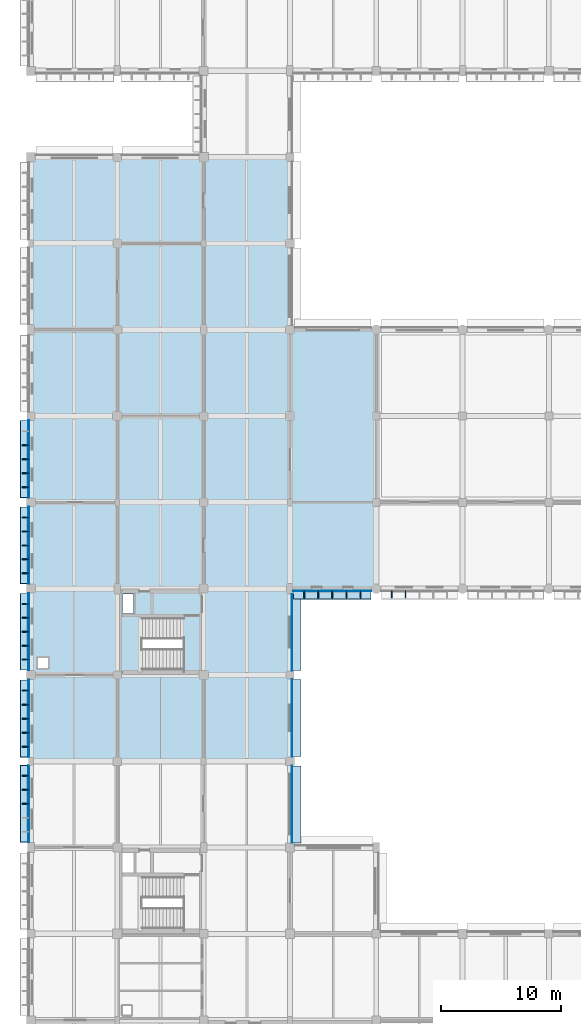
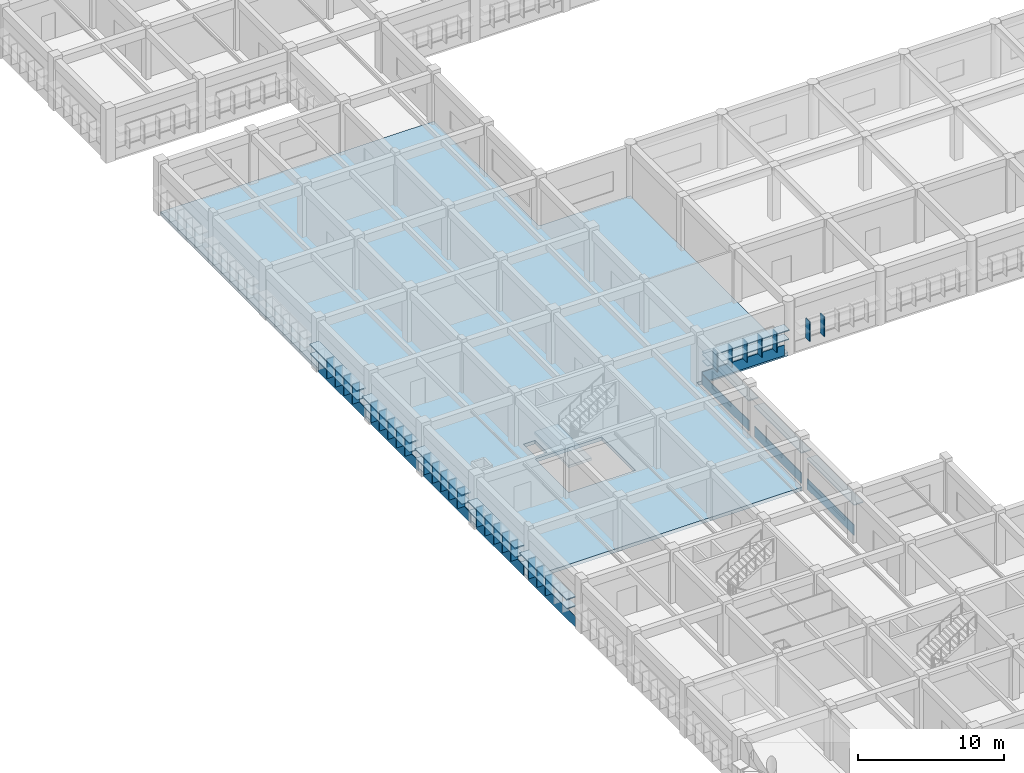
# One storey, part 18 of 61: 53 plates, 2 slabs, 1 element without a shape of its own.
"""IFC4 building model written with IfcOpenShell, lengths in metres."""

from ifc_helpers import new_model, si_unit, direction, frame, origin, origin_2d, place, context, subcontext, project, spatial, polyline, rectangle, outline, extrude, material, layer, layer_set, type_object, element, aggregate, save


model = new_model("IFC4")

# Units and contexts
model_context = context("Model", 3, precision=1e-05, world=origin(), true_north=direction((0.0, 1.0)))
body_context = subcontext(model_context, "Body", "Model", "MODEL_VIEW")
ifc_project = project(units=[si_unit("LENGTHUNIT", "METRE"), si_unit("AREAUNIT", "SQUARE_METRE"), si_unit("VOLUMEUNIT", "CUBIC_METRE"), si_unit("PLANEANGLEUNIT", "RADIAN"), si_unit("MASSUNIT", "GRAM", prefix="KILO")], contexts=[model_context])

# Site, building, storey
site_placement = place(None, origin())
site = spatial("IfcSite", under=ifc_project, at=site_placement, CompositionType="ELEMENT")
building_placement = place(site_placement, origin())
building = spatial("IfcBuilding", under=site, at=building_placement, Name="Thalmaran Polytechnic", CompositionType="ELEMENT")
storey_placement = place(building_placement, frame((0.0, 0.0, 9.89990234375)))
storey = spatial("IfcBuildingStorey", under=building, at=storey_placement, Name="L02", CompositionType="ELEMENT", Elevation=9.89990234375)

# Plates
ifc_material_1 = material(Name="Anodised aluminium spandrel band", Category="aluminium")
ifc_layer_1 = layer(ifc_material_1, 0.054931640625, Name="Anodised aluminium spandrel band")
ifc_layer_set_1 = layer_set([ifc_layer_1], Name="Anodised aluminium spandrel band")
plate_type_1 = type_object("IfcPlateType", Name="PT-BD01", PredefinedType="SHEET", material=ifc_layer_set_1)
plate_1_placement = place(storey_placement, frame((-0.195068359375, 32.46240234375, 0.020263671875), z_axis=(0.0, 0.0, 1.0), x_axis=(0.0, 1.0, 0.0)))
element("IfcPlate", 1, at=plate_1_placement, inside=storey, type_object=plate_type_1, Name="Streamline Horizontal Spandrel Band L02-005", PredefinedType="SHEET", context=body_context, shape_type="SweptSolid", body=[
    extrude(rectangle(XDim=6.43505859375, YDim=0.054931640625, at=origin_2d()), origin(), (0.0, 0.0, 1.0), 0.8798828125),
])
plate_2_placement = place(storey_placement, frame((-0.195068359375, 39.554931640625, 0.020263671875), z_axis=(0.0, 0.0, 1.0), x_axis=(0.0, 1.0, 0.0)))
element("IfcPlate", 2, at=plate_2_placement, inside=storey, type_object=plate_type_1, Name="Streamline Horizontal Spandrel Band L02-006", PredefinedType="SHEET", context=body_context, shape_type="SweptSolid", body=[
    extrude(rectangle(XDim=6.469970703125, YDim=0.054931640625, at=origin_2d()), origin(), (0.0, 0.0, 1.0), 0.8798828125),
])
plate_3_placement = place(storey_placement, frame((-0.195068359375, 46.8076171875, 0.020263671875), z_axis=(0.0, 0.0, 1.0), x_axis=(0.0, 1.0, 0.0)))
element("IfcPlate", 3, at=plate_3_placement, inside=storey, type_object=plate_type_1, Name="Streamline Horizontal Spandrel Band L02-007", PredefinedType="SHEET", context=body_context, shape_type="SweptSolid", body=[
    extrude(rectangle(XDim=6.39501953125, YDim=0.054931640625, at=origin_2d()), origin(), (0.0, 0.0, 1.0), 0.8798828125),
])
plate_4_placement = place(storey_placement, frame((-0.195068359375, 54.007568359375, 0.020263671875), z_axis=(0.0, 0.0, 1.0), x_axis=(0.0, 1.0, 0.0)))
element("IfcPlate", 4, at=plate_4_placement, inside=storey, type_object=plate_type_1, Name="Streamline Horizontal Spandrel Band L02-008", PredefinedType="SHEET", context=body_context, shape_type="SweptSolid", body=[
    extrude(rectangle(XDim=6.425048828125, YDim=0.054931640625, at=origin_2d()), origin(), (0.0, 0.0, 1.0), 0.8798828125),
])
plate_5_placement = place(storey_placement, frame((-0.195068359375, 61.205078125, 0.020263671875), z_axis=(0.0, 0.0, 1.0), x_axis=(0.0, 1.0, 0.0)))
element("IfcPlate", 5, at=plate_5_placement, inside=storey, type_object=plate_type_1, Name="Streamline Horizontal Spandrel Band L02-009", PredefinedType="SHEET", context=body_context, shape_type="SweptSolid", body=[
    extrude(rectangle(XDim=6.449951171875, YDim=0.054931640625, at=origin_2d()), origin(), (0.0, 0.0, 1.0), 0.8798828125),
])
plate_6_placement = place(storey_placement, frame((25.137451171875, 50.205078125, 0.020263671875), z_axis=(0.0, 0.0, 1.0), x_axis=(-1.0, 0.0, 0.0)))
element("IfcPlate", 6, at=plate_6_placement, inside=storey, type_object=plate_type_1, Name="Streamline Horizontal Spandrel Band L02-128", PredefinedType="SHEET", context=body_context, shape_type="SweptSolid", body=[
    extrude(rectangle(XDim=6.485107421875, YDim=0.054931640625, at=origin_2d()), origin(), (0.0, 0.0, 1.0), 0.8798828125),
])
plate_7_placement = place(storey_placement, frame((21.780029296875, 46.762451171875, 0.020263671875), z_axis=(0.0, 0.0, 1.0), x_axis=(0.0, -1.0, 0.0)))
element("IfcPlate", 7, at=plate_7_placement, inside=storey, type_object=plate_type_1, Name="Streamline Horizontal Spandrel Band L02-129", PredefinedType="SHEET", context=body_context, shape_type="SweptSolid", body=[
    extrude(rectangle(XDim=6.385009765625, YDim=0.054931640625, at=origin_2d()), origin(), (0.0, 0.0, 1.0), 0.8798828125),
])
plate_8_placement = place(storey_placement, frame((21.780029296875, 39.60498046875, 0.020263671875), z_axis=(0.0, 0.0, 1.0), x_axis=(0.0, -1.0, 0.0)))
element("IfcPlate", 8, at=plate_8_placement, inside=storey, type_object=plate_type_1, Name="Streamline Horizontal Spandrel Band L02-130", PredefinedType="SHEET", context=body_context, shape_type="SweptSolid", body=[
    extrude(rectangle(XDim=6.449951171875, YDim=0.054931640625, at=origin_2d()), origin(), (0.0, 0.0, 1.0), 0.8798828125),
])
plate_9_placement = place(storey_placement, frame((21.780029296875, 32.407470703125, 0.020263671875), z_axis=(0.0, 0.0, 1.0), x_axis=(0.0, -1.0, 0.0)))
element("IfcPlate", 9, at=plate_9_placement, inside=storey, type_object=plate_type_1, Name="Streamline Horizontal Spandrel Band L02-131", PredefinedType="SHEET", context=body_context, shape_type="SweptSolid", body=[
    extrude(rectangle(XDim=6.425048828125, YDim=0.054931640625, at=origin_2d()), origin(), (0.0, 0.0, 1.0), 0.8798828125),
])
ifc_material_2 = material(Name="Anodised aluminium sun-hood eyebrow", Category="aluminium")
ifc_layer_2 = layer(ifc_material_2, 0.0849609375, Name="Anodised aluminium sun-hood eyebrow")
ifc_layer_set_2 = layer_set([ifc_layer_2], Name="Anodised aluminium sun-hood eyebrow")
plate_type_2 = type_object("IfcPlateType", Name="PT-EB01", PredefinedType="SHEET", material=ifc_layer_set_2)
plate_10_placement = place(storey_placement, frame((-0.5400390625, 32.46240234375, 2.517578125), z_axis=(0.0, 0.0, 1.0), x_axis=(0.0, 1.0, 0.0)))
element("IfcPlate", 10, at=plate_10_placement, inside=storey, type_object=plate_type_2, Name="Streamline Sun-Hood Eyebrow L02-005", PredefinedType="SHEET", context=body_context, shape_type="SweptSolid", body=[
    extrude(rectangle(XDim=6.43505859375, YDim=0.760009765625, at=origin_2d()), origin(), (0.0, 0.0, 1.0), 0.0849609375),
])
plate_11_placement = place(storey_placement, frame((-0.52001953125, 32.46240234375, 1.74267578125), z_axis=(0.0, 0.0, 1.0), x_axis=(0.0, 1.0, 0.0)))
element("IfcPlate", 11, at=plate_11_placement, inside=storey, type_object=plate_type_2, Name="Abu Dhabi Horizontal Solar Louvre L02-005", PredefinedType="SHEET", context=body_context, shape_type="SweptSolid", body=[
    extrude(rectangle(XDim=6.39501953125, YDim=0.719970703125, at=origin_2d()), origin(), (0.0, 0.0, 1.0), 0.074951171875),
])
plate_12_placement = place(storey_placement, frame((-0.5400390625, 39.554931640625, 2.517578125), z_axis=(0.0, 0.0, 1.0), x_axis=(0.0, 1.0, 0.0)))
element("IfcPlate", 12, at=plate_12_placement, inside=storey, type_object=plate_type_2, Name="Streamline Sun-Hood Eyebrow L02-006", PredefinedType="SHEET", context=body_context, shape_type="SweptSolid", body=[
    extrude(rectangle(XDim=6.469970703125, YDim=0.760009765625, at=origin_2d()), origin(), (0.0, 0.0, 1.0), 0.0849609375),
])
plate_13_placement = place(storey_placement, frame((-0.52001953125, 39.554931640625, 1.74267578125), z_axis=(0.0, 0.0, 1.0), x_axis=(0.0, 1.0, 0.0)))
element("IfcPlate", 13, at=plate_13_placement, inside=storey, type_object=plate_type_2, Name="Abu Dhabi Horizontal Solar Louvre L02-006", PredefinedType="SHEET", context=body_context, shape_type="SweptSolid", body=[
    extrude(rectangle(XDim=6.429931640625, YDim=0.719970703125, at=origin_2d()), origin(), (0.0, 0.0, 1.0), 0.074951171875),
])
plate_14_placement = place(storey_placement, frame((-0.5400390625, 46.8076171875, 2.517578125), z_axis=(0.0, 0.0, 1.0), x_axis=(0.0, 1.0, 0.0)))
element("IfcPlate", 14, at=plate_14_placement, inside=storey, type_object=plate_type_2, Name="Streamline Sun-Hood Eyebrow L02-007", PredefinedType="SHEET", context=body_context, shape_type="SweptSolid", body=[
    extrude(rectangle(XDim=6.39501953125, YDim=0.760009765625, at=origin_2d()), origin(), (0.0, 0.0, 1.0), 0.0849609375),
])
plate_15_placement = place(storey_placement, frame((-0.52001953125, 46.8076171875, 1.74267578125), z_axis=(0.0, 0.0, 1.0), x_axis=(0.0, 1.0, 0.0)))
element("IfcPlate", 15, at=plate_15_placement, inside=storey, type_object=plate_type_2, Name="Abu Dhabi Horizontal Solar Louvre L02-007", PredefinedType="SHEET", context=body_context, shape_type="SweptSolid", body=[
    extrude(rectangle(XDim=6.35498046875, YDim=0.719970703125, at=origin_2d()), origin(), (0.0, 0.0, 1.0), 0.074951171875),
])
plate_16_placement = place(storey_placement, frame((-0.5400390625, 54.007568359375, 2.517578125), z_axis=(0.0, 0.0, 1.0), x_axis=(0.0, 1.0, 0.0)))
element("IfcPlate", 16, at=plate_16_placement, inside=storey, type_object=plate_type_2, Name="Streamline Sun-Hood Eyebrow L02-008", PredefinedType="SHEET", context=body_context, shape_type="SweptSolid", body=[
    extrude(rectangle(XDim=6.425048828125, YDim=0.760009765625, at=origin_2d()), origin(), (0.0, 0.0, 1.0), 0.0849609375),
])
plate_17_placement = place(storey_placement, frame((-0.52001953125, 54.007568359375, 1.74267578125), z_axis=(0.0, 0.0, 1.0), x_axis=(0.0, 1.0, 0.0)))
element("IfcPlate", 17, at=plate_17_placement, inside=storey, type_object=plate_type_2, Name="Abu Dhabi Horizontal Solar Louvre L02-008", PredefinedType="SHEET", context=body_context, shape_type="SweptSolid", body=[
    extrude(rectangle(XDim=6.385009765625, YDim=0.719970703125, at=origin_2d()), origin(), (0.0, 0.0, 1.0), 0.074951171875),
])
plate_18_placement = place(storey_placement, frame((-0.5400390625, 61.205078125, 2.517578125), z_axis=(0.0, 0.0, 1.0), x_axis=(0.0, 1.0, 0.0)))
element("IfcPlate", 18, at=plate_18_placement, inside=storey, type_object=plate_type_2, Name="Streamline Sun-Hood Eyebrow L02-009", PredefinedType="SHEET", context=body_context, shape_type="SweptSolid", body=[
    extrude(rectangle(XDim=6.449951171875, YDim=0.760009765625, at=origin_2d()), origin(), (0.0, 0.0, 1.0), 0.0849609375),
])
plate_19_placement = place(storey_placement, frame((-0.52001953125, 61.205078125, 1.74267578125), z_axis=(0.0, 0.0, 1.0), x_axis=(0.0, 1.0, 0.0)))
element("IfcPlate", 19, at=plate_19_placement, inside=storey, type_object=plate_type_2, Name="Abu Dhabi Horizontal Solar Louvre L02-009", PredefinedType="SHEET", context=body_context, shape_type="SweptSolid", body=[
    extrude(rectangle(XDim=6.409912109375, YDim=0.719970703125, at=origin_2d()), origin(), (0.0, 0.0, 1.0), 0.074951171875),
])
plate_20_placement = place(storey_placement, frame((25.137451171875, 49.860107421875, 2.517578125), z_axis=(0.0, 0.0, 1.0), x_axis=(-1.0, 0.0, 0.0)))
element("IfcPlate", 20, at=plate_20_placement, inside=storey, type_object=plate_type_2, Name="Streamline Sun-Hood Eyebrow L02-128", PredefinedType="SHEET", context=body_context, shape_type="SweptSolid", body=[
    extrude(rectangle(XDim=6.485107421875, YDim=0.760009765625, at=origin_2d()), origin(), (0.0, 0.0, 1.0), 0.0849609375),
])
plate_21_placement = place(storey_placement, frame((25.137451171875, 49.8798828125, 1.74267578125), z_axis=(0.0, 0.0, 1.0), x_axis=(-1.0, 0.0, 0.0)))
element("IfcPlate", 21, at=plate_21_placement, inside=storey, type_object=plate_type_2, Name="Abu Dhabi Horizontal Solar Louvre L02-128", PredefinedType="SHEET", context=body_context, shape_type="SweptSolid", body=[
    extrude(rectangle(XDim=6.445068359375, YDim=0.719970703125, at=origin_2d()), origin(), (0.0, 0.0, 1.0), 0.074951171875),
])
plate_22_placement = place(storey_placement, frame((22.125, 46.762451171875, 2.517578125), z_axis=(0.0, 0.0, 1.0), x_axis=(0.0, -1.0, 0.0)))
element("IfcPlate", 22, at=plate_22_placement, inside=storey, type_object=plate_type_2, Name="Streamline Sun-Hood Eyebrow L02-129", PredefinedType="SHEET", context=body_context, shape_type="SweptSolid", body=[
    extrude(rectangle(XDim=6.385009765625, YDim=0.760009765625, at=origin_2d()), origin(), (0.0, 0.0, 1.0), 0.0849609375),
])
plate_23_placement = place(storey_placement, frame((22.125, 39.60498046875, 2.517578125), z_axis=(0.0, 0.0, 1.0), x_axis=(0.0, -1.0, 0.0)))
element("IfcPlate", 23, at=plate_23_placement, inside=storey, type_object=plate_type_2, Name="Streamline Sun-Hood Eyebrow L02-130", PredefinedType="SHEET", context=body_context, shape_type="SweptSolid", body=[
    extrude(rectangle(XDim=6.449951171875, YDim=0.760009765625, at=origin_2d()), origin(), (0.0, 0.0, 1.0), 0.0849609375),
])
plate_24_placement = place(storey_placement, frame((22.125, 32.407470703125, 2.517578125), z_axis=(0.0, 0.0, 1.0), x_axis=(0.0, -1.0, 0.0)))
element("IfcPlate", 24, at=plate_24_placement, inside=storey, type_object=plate_type_2, Name="Streamline Sun-Hood Eyebrow L02-131", PredefinedType="SHEET", context=body_context, shape_type="SweptSolid", body=[
    extrude(rectangle(XDim=6.425048828125, YDim=0.760009765625, at=origin_2d()), origin(), (0.0, 0.0, 1.0), 0.0849609375),
])
ifc_material_3 = material(Name="Anodised bronze brise-soleil fin")
ifc_layer_3 = layer(ifc_material_3, 0.06494140625, Name="Anodised bronze brise-soleil fin")
ifc_layer_set_3 = layer_set([ifc_layer_3], Name="Anodised bronze brise-soleil fin")
plate_type_3 = type_object("IfcPlateType", Name="PT-FN01", PredefinedType="SHEET", material=ifc_layer_set_3)
for number, where, z_axis, x_axis, name in (
    (25, (-0.4599609375, 32.46240234375, 0.895263671875), (0.0, 0.0, 1.0), (0.0, 1.0, 0.0), "Abu Dhabi Solar Brise-Soleil Fin L02-005-3"),
    (26, (-0.4599609375, 33.6279296875, 0.895263671875), (0.0, 0.0, 1.0), (0.0, 1.0, 0.0), "Abu Dhabi Solar Brise-Soleil Fin L02-005-4"),
    (27, (-0.4599609375, 34.79345703125, 0.895263671875), (0.0, 0.0, 1.0), (0.0, 1.0, 0.0), "Abu Dhabi Solar Brise-Soleil Fin L02-005-5"),
    (28, (-0.4599609375, 37.21142578125, 0.895263671875), (0.0, 0.0, 1.0), (0.0, 1.0, 0.0), "Abu Dhabi Solar Brise-Soleil Fin L02-006-1"),
    (29, (-0.4599609375, 38.38330078125, 0.895263671875), (0.0, 0.0, 1.0), (0.0, 1.0, 0.0), "Abu Dhabi Solar Brise-Soleil Fin L02-006-2"),
    (30, (-0.4599609375, 39.554931640625, 0.895263671875), (0.0, 0.0, 1.0), (0.0, 1.0, 0.0), "Abu Dhabi Solar Brise-Soleil Fin L02-006-3"),
    (31, (-0.4599609375, 40.726806640625, 0.895263671875), (0.0, 0.0, 1.0), (0.0, 1.0, 0.0), "Abu Dhabi Solar Brise-Soleil Fin L02-006-4"),
    (32, (-0.4599609375, 41.898681640625, 0.895263671875), (0.0, 0.0, 1.0), (0.0, 1.0, 0.0), "Abu Dhabi Solar Brise-Soleil Fin L02-006-5"),
    (33, (-0.4599609375, 44.490966796875, 0.895263671875), (0.0, 0.0, 1.0), (0.0, 1.0, 0.0), "Abu Dhabi Solar Brise-Soleil Fin L02-007-1"),
    (34, (-0.4599609375, 45.649169921875, 0.895263671875), (0.0, 0.0, 1.0), (0.0, 1.0, 0.0), "Abu Dhabi Solar Brise-Soleil Fin L02-007-2"),
    (35, (-0.4599609375, 46.8076171875, 0.895263671875), (0.0, 0.0, 1.0), (0.0, 1.0, 0.0), "Abu Dhabi Solar Brise-Soleil Fin L02-007-3"),
    (36, (-0.4599609375, 47.9658203125, 0.895263671875), (0.0, 0.0, 1.0), (0.0, 1.0, 0.0), "Abu Dhabi Solar Brise-Soleil Fin L02-007-4"),
    (37, (-0.4599609375, 49.1240234375, 0.895263671875), (0.0, 0.0, 1.0), (0.0, 1.0, 0.0), "Abu Dhabi Solar Brise-Soleil Fin L02-007-5"),
    (38, (-0.4599609375, 51.68017578125, 0.895263671875), (0.0, 0.0, 1.0), (0.0, 1.0, 0.0), "Abu Dhabi Solar Brise-Soleil Fin L02-008-1"),
    (39, (-0.4599609375, 52.84375, 0.895263671875), (0.0, 0.0, 1.0), (0.0, 1.0, 0.0), "Abu Dhabi Solar Brise-Soleil Fin L02-008-2"),
    (40, (-0.4599609375, 54.007568359375, 0.895263671875), (0.0, 0.0, 1.0), (0.0, 1.0, 0.0), "Abu Dhabi Solar Brise-Soleil Fin L02-008-3"),
    (41, (-0.4599609375, 55.171142578125, 0.895263671875), (0.0, 0.0, 1.0), (0.0, 1.0, 0.0), "Abu Dhabi Solar Brise-Soleil Fin L02-008-4"),
    (42, (-0.4599609375, 56.3349609375, 0.895263671875), (0.0, 0.0, 1.0), (0.0, 1.0, 0.0), "Abu Dhabi Solar Brise-Soleil Fin L02-008-5"),
    (43, (-0.4599609375, 58.86865234375, 0.895263671875), (0.0, 0.0, 1.0), (0.0, 1.0, 0.0), "Abu Dhabi Solar Brise-Soleil Fin L02-009-1"),
    (44, (-0.4599609375, 60.036865234375, 0.895263671875), (0.0, 0.0, 1.0), (0.0, 1.0, 0.0), "Abu Dhabi Solar Brise-Soleil Fin L02-009-2"),
    (45, (-0.4599609375, 61.205078125, 0.895263671875), (0.0, 0.0, 1.0), (0.0, 1.0, 0.0), "Abu Dhabi Solar Brise-Soleil Fin L02-009-3"),
    (46, (-0.4599609375, 62.373291015625, 0.895263671875), (0.0, 0.0, 1.0), (0.0, 1.0, 0.0), "Abu Dhabi Solar Brise-Soleil Fin L02-009-4"),
    (47, (31.248046875, 49.93994140625, 0.895263671875), (0.0, 0.0, 1.0), (-1.0, 0.0, 0.0), "Abu Dhabi Solar Brise-Soleil Fin L02-127-4"),
    (48, (30.095947265625, 49.93994140625, 0.895263671875), (0.0, 0.0, 1.0), (-1.0, 0.0, 0.0), "Abu Dhabi Solar Brise-Soleil Fin L02-127-5"),
    (49, (27.486572265625, 49.93994140625, 0.895263671875), (0.0, 0.0, 1.0), (-1.0, 0.0, 0.0), "Abu Dhabi Solar Brise-Soleil Fin L02-128-1"),
    (50, (26.31201171875, 49.93994140625, 0.895263671875), (0.0, 0.0, 1.0), (-1.0, 0.0, 0.0), "Abu Dhabi Solar Brise-Soleil Fin L02-128-2"),
    (51, (25.137451171875, 49.93994140625, 0.895263671875), (0.0, 0.0, 1.0), (-1.0, 0.0, 0.0), "Abu Dhabi Solar Brise-Soleil Fin L02-128-3"),
    (52, (23.962890625, 49.93994140625, 0.895263671875), (0.0, 0.0, 1.0), (-1.0, 0.0, 0.0), "Abu Dhabi Solar Brise-Soleil Fin L02-128-4"),
    (53, (22.78857421875, 49.93994140625, 0.895263671875), (0.0, 0.0, 1.0), (-1.0, 0.0, 0.0), "Abu Dhabi Solar Brise-Soleil Fin L02-128-5"),
):
    element("IfcPlate", number, at=place(storey_placement, frame(where, z_axis=z_axis, x_axis=x_axis)), inside=storey, type_object=plate_type_3, Name=name, PredefinedType="SHEET", context=body_context, shape_type="SweptSolid", body=[
        extrude(rectangle(XDim=0.06494140625, YDim=0.56005859375, at=origin_2d()), origin(), (0.0, 0.0, 1.0), 1.64990234375),
    ])

# Slab
ifc_material_4 = material(Name="Concrete C40/50", Category="concrete")
ifc_layer_4 = layer(ifc_material_4, 0.2900390625, Name="Concrete C40/50")
ifc_layer_set_4 = layer_set([ifc_layer_4], Name="Concrete C40/50")
slab_type_1 = type_object("IfcSlabType", Name="SL-FL04", PredefinedType="FLOOR", material=ifc_layer_set_4)
slab_1_placement = place(storey_placement, frame((0.0, 0.0, -0.289794921875)))
element("IfcSlab", 54, at=slab_1_placement, inside=storey, type_object=slab_type_1, Name="V1N L02 Structural Slab", PredefinedType="FLOOR", context=body_context, shape_type="SweptSolid", body=[
    extrude(outline(polyline([(0.0, 72.0), (0.0, 79.199951171875), (0.0, 86.39990234375), (7.199951171875, 86.39990234375), (14.39990234375, 86.39990234375), (21.60009765625, 86.39990234375), (21.60009765625, 79.199951171875), (21.60009765625, 72.0), (28.800048828125, 72.0), (28.800048828125, 64.800048828125), (28.800048828125, 57.60009765625), (28.800048828125, 50.39990234375), (21.60009765625, 50.39990234375), (21.60009765625, 43.199951171875), (21.60009765625, 36.0), (14.39990234375, 36.0), (7.199951171875, 36.0), (0.0, 36.0), (0.0, 43.199951171875), (0.0, 50.39990234375), (0.0, 57.60009765625), (0.0, 64.800048828125), (0.0, 72.0)]), holes=[polyline([(7.449951171875, 43.449951171875), (12.719970703125, 43.449951171875), (12.719970703125, 48.0400390625), (7.449951171875, 48.0400390625), (7.449951171875, 43.449951171875)]), polyline([(7.639892578125, 49.9599609375), (7.639892578125, 48.340087890625), (8.56005859375, 48.340087890625), (8.56005859375, 49.9599609375), (7.639892578125, 49.9599609375)]), polyline([(1.449951171875, 44.64990234375), (0.550048828125, 44.64990234375), (0.550048828125, 43.75), (1.449951171875, 43.75), (1.449951171875, 44.64990234375)])]), origin(), (0.0, 0.0, 1.0), 0.289794921875),
])

# Stair, slab
stair_type = type_object("IfcStairType", Name="ST-HT45", PredefinedType="HALF_TURN_STAIR", material=ifc_material_4)
stair_placement = place(storey_placement, origin())
stair = element("IfcStair", 55, at=stair_placement, inside=storey, type_object=stair_type, Name="Exit Stair ST4 L02", PredefinedType="HALF_TURN_STAIR")
ifc_layer_5 = layer(ifc_material_4, 0.2099609375, Name="Concrete C40/50")
ifc_layer_set_5 = layer_set([ifc_layer_5], Name="Concrete C40/50")
slab_type_2 = type_object("IfcSlabType", Name="SL-LD01", PredefinedType="LANDING", material=ifc_layer_set_5)
slab_2_placement = place(storey_placement, frame((0.0, 0.0, 2.0400390625)))
slab_2 = element("IfcSlab", 56, at=slab_2_placement, type_object=slab_type_2, Name="ST4 L02 Half Landing", PredefinedType="LANDING", context=body_context, shape_type="SweptSolid", body=[
    extrude(outline(polyline([(7.43994140625, 43.43994140625), (9.260009765625, 43.43994140625), (9.260009765625, 48.139892578125), (7.43994140625, 48.139892578125), (7.43994140625, 43.43994140625)])), origin(), (0.0, 0.0, 1.0), 0.2099609375),
])
aggregate(stair, [slab_2])

save(model, "model.ifc")
